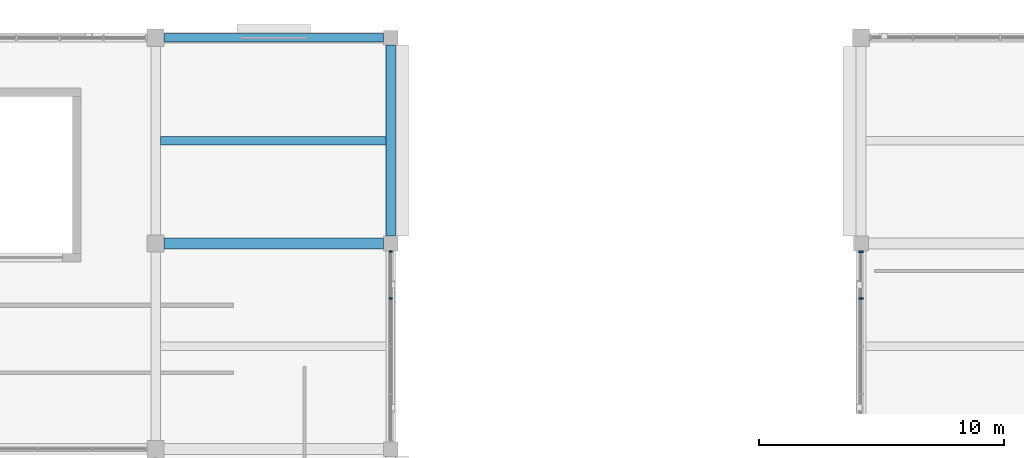
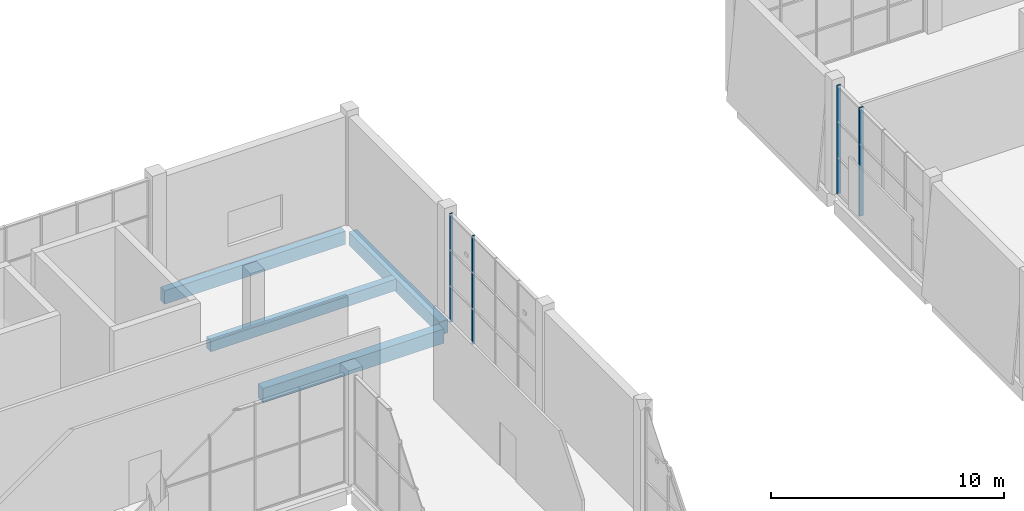
# One storey, part 27 of 84: 4 beams, 4 members, 2 elements without a shape of their own.
"""IFC4 building model written with IfcOpenShell, lengths in metres."""

from ifc_helpers import new_model, si_unit, direction, frame, origin, origin_2d, place, context, subcontext, project, spatial, rectangle, extrude, material, material_profile, profile_set, type_object, element, aggregate, save


model = new_model("IFC4")

# Units and contexts
model_context = context("Model", 3, precision=1e-05, world=origin(), true_north=direction((0.0, 1.0)))
body_context = subcontext(model_context, "Body", "Model", "MODEL_VIEW")
ifc_project = project(units=[si_unit("LENGTHUNIT", "METRE"), si_unit("AREAUNIT", "SQUARE_METRE"), si_unit("VOLUMEUNIT", "CUBIC_METRE"), si_unit("PLANEANGLEUNIT", "RADIAN"), si_unit("MASSUNIT", "GRAM", prefix="KILO")], contexts=[model_context])

# Site, building, storey
site_placement = place(None, origin())
site = spatial("IfcSite", under=ifc_project, at=site_placement, CompositionType="ELEMENT")
building_placement = place(site_placement, origin())
building = spatial("IfcBuilding", under=site, at=building_placement, Name="Shalvenor Court Art Gallery", CompositionType="ELEMENT")
storey_placement = place(building_placement, origin())
storey = spatial("IfcBuildingStorey", under=building, at=storey_placement, Name="L00", CompositionType="ELEMENT", Elevation=0.0)

# Beams
ifc_material_1 = material(Name="Concrete C40/50", Category="concrete")
ifc_material_profile_1 = material_profile(ifc_material_1, rectangle(XDim=0.449951171875, YDim=0.75, at=origin_2d()), Name="RC 450x750")
ifc_profile_set_1 = profile_set([ifc_material_profile_1], Name="Concrete C40/50")
beam_type_1 = type_object("IfcBeamType", Name="B-04", PredefinedType="BEAM", material=ifc_profile_set_1)
beam_1_placement = place(storey_placement, frame((29.14990234375, 114.0, -0.715087890625), z_axis=(1.0, 0.0, 0.0), x_axis=(0.0, 1.0, 0.0)))
element("IfcBeam", 1, at=beam_1_placement, inside=storey, type_object=beam_type_1, Name="L00 Girder BM-L00-B-04-0261", PredefinedType="BEAM", context=body_context, shape_type="SweptSolid", body=[
    extrude(rectangle(XDim=0.449951171875, YDim=0.75, at=origin_2d()), origin(), (0.0, 0.0, 1.0), 8.9501953125),
])
ifc_material_2 = material(Name="Concrete C40/50", Category="concrete")
ifc_material_profile_2 = material_profile(ifc_material_2, rectangle(XDim=0.39990234375, YDim=0.699951171875, at=origin_2d()), Name="RC 400x700")
ifc_profile_set_2 = profile_set([ifc_material_profile_2], Name="Concrete C40/50")
beam_type_2 = type_object("IfcBeamType", Name="B-05", PredefinedType="BEAM", material=ifc_profile_set_2)
beam_2_placement = place(storey_placement, frame((38.39990234375, 114.300048828125, -0.68994140625), z_axis=(0.0, 1.0, 0.0), x_axis=(-1.0, 0.0, 0.0)))
element("IfcBeam", 2, at=beam_2_placement, inside=storey, type_object=beam_type_2, Name="L00 Girder BM-L00-B-05-0040", PredefinedType="BEAM", context=body_context, shape_type="SweptSolid", body=[
    extrude(rectangle(XDim=0.39990234375, YDim=0.699951171875, at=origin_2d()), origin(), (0.0, 0.0, 1.0), 7.800048828125),
])

# Curtain wall, members
ifc_material_3 = material(Name="Anodised aluminium and low-iron glass curtain wall", Category="aluminium")
curtain_wall_type_1 = type_object("IfcCurtainWallType", Name="CW-4x3-78-57-222", PredefinedType="USERDEFINED", material=ifc_material_3)
curtain_wall_1_placement = place(storey_placement, origin())
curtain_wall_1 = element("IfcCurtainWall", 3, at=curtain_wall_1_placement, inside=storey, type_object=curtain_wall_type_1, Name="L00 V2 Curtain Wall CW-L00-061", ObjectType="CURTAIN WALL", PredefinedType="USERDEFINED")
ifc_material_4 = material(Name="Anodised aluminium mullion", Category="aluminium")
ifc_material_profile_3 = material_profile(ifc_material_4, rectangle(XDim=0.070068359375, YDim=0.199951171875, at=origin_2d()), Name="CWM-02")
ifc_profile_set_3 = profile_set([ifc_material_profile_3], Name="Anodised aluminium mullion")
member_type_1 = type_object("IfcMemberType", Name="CWM-02", PredefinedType="MULLION", material=ifc_profile_set_3)
member_1_placement = place(storey_placement, frame((57.60009765625, 111.75, 0.0), z_axis=(0.0, 0.0, 1.0), x_axis=(0.0, 1.0, 0.0)))
member_1 = element("IfcMember", 4, at=member_1_placement, type_object=member_type_1, Name="CW-4x3-78-57-222 mullion 4", PredefinedType="MULLION", context=body_context, shape_type="SweptSolid", body=[
    extrude(rectangle(XDim=0.070068359375, YDim=0.199951171875, at=origin_2d()), origin(), (0.0, 0.0, 1.0), 5.679931640625),
])
member_2_placement = place(storey_placement, frame((57.60009765625, 113.6650390625, 0.0), z_axis=(0.0, 0.0, 1.0), x_axis=(0.0, 1.0, 0.0)))
member_2 = element("IfcMember", 5, at=member_2_placement, type_object=member_type_1, Name="CW-4x3-78-57-222 mullion 5", PredefinedType="MULLION", context=body_context, shape_type="SweptSolid", body=[
    extrude(rectangle(XDim=0.070068359375, YDim=0.199951171875, at=origin_2d()), origin(), (0.0, 0.0, 1.0), 5.679931640625),
])
aggregate(curtain_wall_1, [member_1, member_2])

ifc_material_5 = material(Name="Anodised aluminium and low-iron glass curtain wall", Category="aluminium")
curtain_wall_type_2 = type_object("IfcCurtainWallType", Name="CW-4x3-78-57-621", PredefinedType="USERDEFINED", material=ifc_material_5)
curtain_wall_2_placement = place(storey_placement, origin())
curtain_wall_2 = element("IfcCurtainWall", 6, at=curtain_wall_2_placement, inside=storey, type_object=curtain_wall_type_2, Name="L00 V5 Curtain Wall CW-L00-151", ObjectType="CURTAIN WALL", PredefinedType="USERDEFINED")
ifc_material_6 = material(Name="Anodised aluminium mullion", Category="aluminium")
ifc_material_profile_4 = material_profile(ifc_material_6, rectangle(XDim=0.054931640625, YDim=0.139892578125, at=origin_2d()), Name="CWM-06")
ifc_profile_set_4 = profile_set([ifc_material_profile_4], Name="Anodised aluminium mullion")
member_type_2 = type_object("IfcMemberType", Name="CWM-06", PredefinedType="MULLION", material=ifc_profile_set_4)
member_3_placement = place(storey_placement, frame((38.39990234375, 113.672607421875, 0.0), z_axis=(0.0, 0.0, 1.0), x_axis=(0.0, -1.0, 0.0)))
member_3 = element("IfcMember", 7, at=member_3_placement, type_object=member_type_2, Name="CW-4x3-78-57-621 mullion 1", PredefinedType="MULLION", context=body_context, shape_type="SweptSolid", body=[
    extrude(rectangle(XDim=0.054931640625, YDim=0.139892578125, at=origin_2d()), origin(), (0.0, 0.0, 1.0), 5.679931640625),
])
member_4_placement = place(storey_placement, frame((38.39990234375, 111.75, 0.0), z_axis=(0.0, 0.0, 1.0), x_axis=(0.0, -1.0, 0.0)))
member_4 = element("IfcMember", 8, at=member_4_placement, type_object=member_type_2, Name="CW-4x3-78-57-621 mullion 2", PredefinedType="MULLION", context=body_context, shape_type="SweptSolid", body=[
    extrude(rectangle(XDim=0.054931640625, YDim=0.139892578125, at=origin_2d()), origin(), (0.0, 0.0, 1.0), 5.679931640625),
])
aggregate(curtain_wall_2, [member_3, member_4])

# Beams
ifc_material_7 = material(Name="Concrete C40/50", Category="concrete")
ifc_material_profile_5 = material_profile(ifc_material_7, rectangle(XDim=0.35009765625, YDim=0.60009765625, at=origin_2d()), Name="RC 350x600")
ifc_profile_set_5 = profile_set([ifc_material_profile_5], Name="Concrete C40/50")
beam_type_3 = type_object("IfcBeamType", Name="J-01", PredefinedType="JOIST", material=ifc_profile_set_5)
beam_3_placement = place(storey_placement, frame((29.0, 118.199951171875, -0.639892578125), z_axis=(1.0, 0.0, 0.0), x_axis=(0.0, 1.0, 0.0)))
element("IfcBeam", 9, at=beam_3_placement, inside=storey, type_object=beam_type_3, Name="L00 Secondary Beam JST-L00-J-01-0301", PredefinedType="JOIST", context=body_context, shape_type="SweptSolid", body=[
    extrude(rectangle(XDim=0.35009765625, YDim=0.60009765625, at=origin_2d()), origin(), (0.0, 0.0, 1.0), 9.199951171875),
])
ifc_material_8 = material(Name="Concrete C40/50", Category="concrete")
ifc_material_profile_6 = material_profile(ifc_material_8, rectangle(XDim=0.35009765625, YDim=0.699951171875, at=origin_2d()), Name="RC 350x700")
ifc_profile_set_6 = profile_set([ifc_material_profile_6], Name="Concrete C40/50")
beam_type_4 = type_object("IfcBeamType", Name="SP-01", PredefinedType="SPANDREL", material=ifc_profile_set_6)
beam_4_placement = place(storey_placement, frame((29.14990234375, 122.39990234375, -0.68994140625), z_axis=(1.0, 0.0, 0.0), x_axis=(0.0, 1.0, 0.0)))
element("IfcBeam", 10, at=beam_4_placement, inside=storey, type_object=beam_type_4, Name="L00 Spandrel Girder BM-L00-SP-01-0272", PredefinedType="SPANDREL", context=body_context, shape_type="SweptSolid", body=[
    extrude(rectangle(XDim=0.35009765625, YDim=0.699951171875, at=origin_2d()), origin(), (0.0, 0.0, 1.0), 8.9501953125),
])

save(model, "model.ifc")
